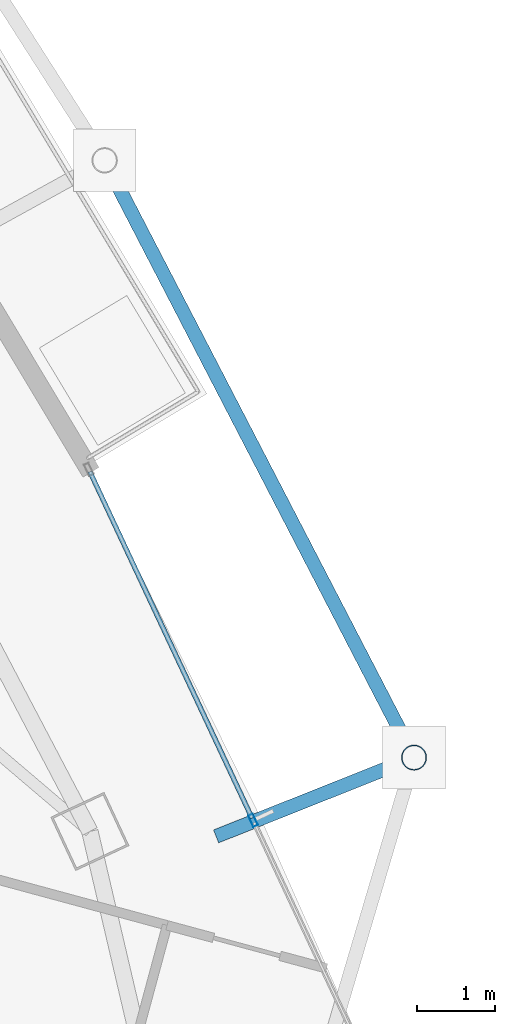
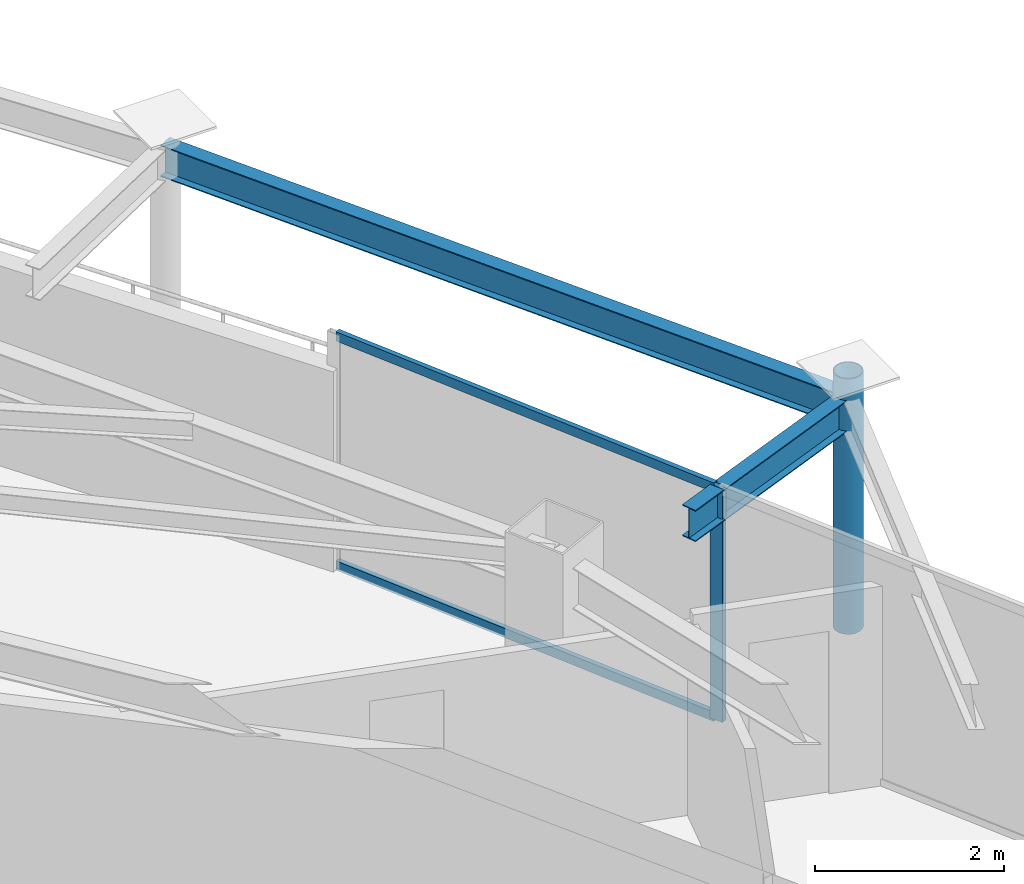
# One storey, part 19 of 30: 4 members, 2 beams, 1 element without a shape of its own.
"""IFC4 building model written with IfcOpenShell, lengths in metres."""

from ifc_helpers import new_model, si_unit, direction, frame, origin, origin_2d, place, context, subcontext, project, spatial, hollow_rectangle, hollow_circle, i_section, extrude, material, layer, layer_set, material_profile, profile_set, type_object, element, aggregate, save


model = new_model("IFC4")

# Units and contexts
model_context = context("Model", 3, precision=1e-05, world=origin(), true_north=direction((0.0, 1.0)))
body_context = subcontext(model_context, "Body", "Model", "MODEL_VIEW")
ifc_project = project(units=[si_unit("LENGTHUNIT", "METRE"), si_unit("AREAUNIT", "SQUARE_METRE"), si_unit("VOLUMEUNIT", "CUBIC_METRE"), si_unit("PLANEANGLEUNIT", "RADIAN"), si_unit("MASSUNIT", "GRAM", prefix="KILO")], contexts=[model_context])

# Site, building, storey
site_placement = place(None, origin())
site = spatial("IfcSite", under=ifc_project, at=site_placement, CompositionType="ELEMENT")
building_placement = place(site_placement, origin())
building = spatial("IfcBuilding", under=site, at=building_placement, Name="Orvanel Arch Residences", CompositionType="ELEMENT")
storey_placement = place(building_placement, frame((0.0, 0.0, 232.699951171875)))
storey = spatial("IfcBuildingStorey", under=building, at=storey_placement, Name="L66", CompositionType="ELEMENT", Elevation=232.699951171875)

# Curtain wall, member
ifc_material_1 = material(Name="Bronze-anodised aluminium AA6063-T6", Category="aluminium")
ifc_layer = layer(ifc_material_1, 0.175048828125)
ifc_layer_set = layer_set([ifc_layer], Name="Bronze-anodised aluminium AA6063-T6")
curtain_wall_type = type_object("IfcCurtainWallType", Name="CW4-HI-SYS", PredefinedType="NOTDEFINED", material=ifc_layer_set)
curtain_wall_placement = place(storey_placement, origin())
curtain_wall = element("IfcCurtainWall", 1, at=curtain_wall_placement, inside=storey, type_object=curtain_wall_type, Name="L66 CW4-HI-SYS Unitised Curtain Wall", PredefinedType="NOTDEFINED")
ifc_material_profile_1 = material_profile(ifc_material_1, hollow_rectangle(XDim=0.06494140625, YDim=0.159912109375, WallThickness=0.00390625, at=origin_2d()), Name="ALU160x65x4")
ifc_profile_set_1 = profile_set([ifc_material_profile_1], Name="Bronze-anodised aluminium AA6063-T6")
member_type_1 = type_object("IfcMemberType", Name="MUL-160x65", PredefinedType="MULLION", material=ifc_profile_set_1)
member_1_placement = place(storey_placement, frame((51.715087890625, 19.783935546875, 0.0), z_axis=(0.0, 0.0, 1.0), x_axis=(-0.905705004304, -0.423908533978, 0.0)))
member_1 = element("IfcMember", 2, at=member_1_placement, type_object=member_type_1, Name="CW-S4 mullion 2", PredefinedType="MULLION", context=body_context, shape_type="SweptSolid", body=[
    extrude(hollow_rectangle(XDim=0.06494140625, YDim=0.159912109375, WallThickness=0.00390625, at=origin_2d()), origin(), (0.0, 0.0, 1.0), 3.02001953125),
])

# Beams
ifc_material_2 = material(Name="Structural steel AS/NZS 3679.1 Grade 300 (300 MPa)", Category="steel")
ifc_material_profile_2 = material_profile(ifc_material_2, i_section(OverallWidth=0.177978515625, OverallDepth=0.406005859375, WebThickness=0.0078125, FlangeThickness=0.0126953125, at=origin_2d()), Name="410UB59.7")
ifc_profile_set_2 = profile_set([ifc_material_profile_2], Name="Structural steel AS/NZS 3679.1 Grade 300 (300 MPa)")
beam_type = type_object("IfcBeamType", Name="OB-410UB-EXT", PredefinedType="SPANDREL", material=ifc_profile_set_2)
beam_1_placement = place(storey_placement, frame((51.242919921875, 19.5791015625, 2.817138671875), z_axis=(0.929131941976, 0.36974833928, 0.0), x_axis=(-0.36974833928, 0.929131941976, 0.0)))
element("IfcBeam", 3, at=beam_1_placement, inside=storey, type_object=beam_type, Name="L66 Outer Frame Radial Tie Beam 09", PredefinedType="SPANDREL", context=body_context, shape_type="SweptSolid", body=[
    extrude(i_section(OverallWidth=0.177978515625, OverallDepth=0.406005859375, WebThickness=0.0078125, FlangeThickness=0.0126953125, at=origin_2d()), origin(), (0.0, 0.0, 1.0), 2.7177734375),
])
beam_2_placement = place(storey_placement, frame((53.76806640625, 20.583984375, 2.817138671875), z_axis=(-0.459994065617, 0.88792198959, 0.0), x_axis=(-0.88792198959, -0.459994065617, 0.0)))
element("IfcBeam", 4, at=beam_2_placement, inside=storey, type_object=beam_type, Name="L66 Outer Perimeter Floor Ring Beam 09", PredefinedType="SPANDREL", context=body_context, shape_type="SweptSolid", body=[
    extrude(i_section(OverallWidth=0.177978515625, OverallDepth=0.406005859375, WebThickness=0.0078125, FlangeThickness=0.0126953125, at=origin_2d()), origin(), (0.0, 0.0, 1.0), 8.58056640625),
])

# Member
ifc_material_3 = material(Name="Structural steel AS/NZS 1163 C350L0 (Grade 350)", Category="steel")
ifc_material_profile_3 = material_profile(ifc_material_3, hollow_circle(Radius=0.162109375, WallThickness=0.0126953125, at=origin_2d()), Name="CHS324x12.7")
ifc_profile_set_3 = profile_set([ifc_material_profile_3], Name="Structural steel AS/NZS 1163 C350L0 (Grade 350)")
member_type_2 = type_object("IfcMemberType", Name="ST-324CHS-EXT", PredefinedType="STRUT", material=ifc_profile_set_3)
member_2_placement = place(storey_placement, frame((53.76806640625, 20.583984375, 0.0), z_axis=(0.0, 0.0, 1.0), x_axis=(1.0, 0.0, 0.0)))
element("IfcMember", 5, at=member_2_placement, inside=storey, type_object=member_type_2, Name="L66 Outer Perimeter Frame Post 09", PredefinedType="STRUT", context=body_context, shape_type="SweptSolid", body=[
    extrude(hollow_circle(Radius=0.162109375, WallThickness=0.0126953125, at=origin_2d()), origin(), (0.0, 0.0, 1.0), 3.300048828125),
])

ifc_material_profile_4 = material_profile(ifc_material_1, hollow_rectangle(XDim=0.06005859375, YDim=0.1201171875, WallThickness=0.00341796875, at=origin_2d()), Name="ALU120x60x3.5")
ifc_profile_set_4 = profile_set([ifc_material_profile_4], Name="Bronze-anodised aluminium AA6063-T6")
member_type_3 = type_object("IfcMemberType", Name="TRN-120x60", PredefinedType="USERDEFINED", material=ifc_profile_set_4)
member_3_placement = place(storey_placement, frame((51.701171875, 19.8134765625, 0.030029296875), z_axis=(-0.423899048381, 0.905709443907, 0.0), x_axis=(-0.905709443907, -0.423899048381, 0.0)))
member_3 = element("IfcMember", 6, at=member_3_placement, type_object=member_type_3, Name="CW-S4 transom 2.1", ObjectType="TRANSOM", PredefinedType="USERDEFINED", context=body_context, shape_type="SweptSolid", body=[
    extrude(hollow_rectangle(XDim=0.06005859375, YDim=0.1201171875, WallThickness=0.00341796875, at=origin_2d()), origin(), (0.0, 0.0, 1.0), 4.877685546875),
])

member_4_placement = place(storey_placement, frame((51.701171875, 19.8134765625, 2.989990234375), z_axis=(-0.423899048381, 0.905709443907, 0.0), x_axis=(-0.905709443907, -0.423899048381, 0.0)))
member_4 = element("IfcMember", 7, at=member_4_placement, type_object=member_type_3, Name="CW-S4 transom 2.2", ObjectType="TRANSOM", PredefinedType="USERDEFINED", context=body_context, shape_type="SweptSolid", body=[
    extrude(hollow_rectangle(XDim=0.06005859375, YDim=0.1201171875, WallThickness=0.00341796875, at=origin_2d()), origin(), (0.0, 0.0, 1.0), 4.877685546875),
])

aggregate(curtain_wall, [member_1, member_3, member_4])

save(model, "model.ifc")
